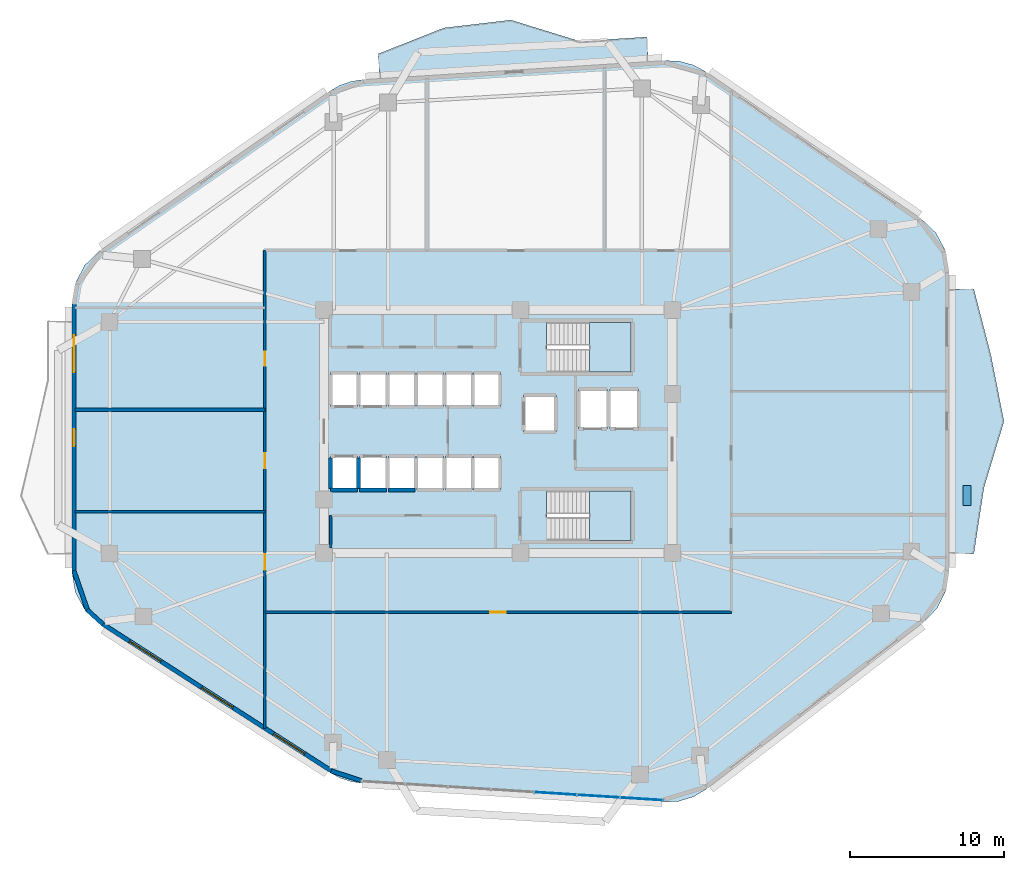
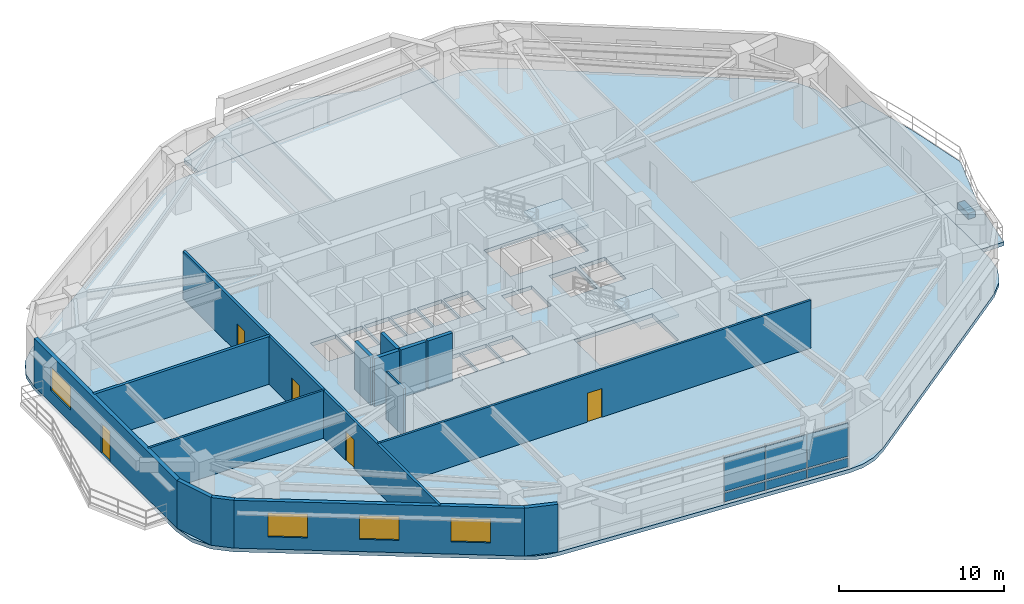
# One storey, part 6 of 12: 15 walls, 7 plates, 5 doors, 5 slabs, 4 windows, 9 openings, 3 elements without a shape of their own.
"""IFC4 building model written with IfcOpenShell, lengths in metres."""

from ifc_helpers import new_model, si_unit, direction, frame, frame_2d, origin, origin_2d, place, context, subcontext, project, spatial, polyline, rectangle, outline, extrude, material, layer, layer_set, type_object, element, fill, aggregate, save


model = new_model("IFC4")

# Units and contexts
model_context = context("Model", 3, precision=1e-05, world=origin(), true_north=direction((0.0, 1.0)))
body_context = subcontext(model_context, "Body", "Model", "MODEL_VIEW")
ifc_project = project(units=[si_unit("LENGTHUNIT", "METRE"), si_unit("AREAUNIT", "SQUARE_METRE"), si_unit("VOLUMEUNIT", "CUBIC_METRE"), si_unit("PLANEANGLEUNIT", "RADIAN"), si_unit("MASSUNIT", "GRAM", prefix="KILO")], contexts=[model_context])

# Site, building, storey
site_placement = place(None, origin())
site = spatial("IfcSite", under=ifc_project, at=site_placement, CompositionType="ELEMENT")
building_placement = place(site_placement, origin())
building = spatial("IfcBuilding", under=site, at=building_placement, Name="Zulverin Broadcast Headquarters", CompositionType="ELEMENT")
storey_placement = place(building_placement, frame((0.0, 0.0, 93.39990234375)))
storey = spatial("IfcBuildingStorey", under=building, at=storey_placement, Name="L23", CompositionType="ELEMENT", Elevation=93.39990234375)

# Curtain wall, plates
ifc_material_1 = material(Name="Low-zone ribbon unitised curtain wall", Category="aluminium")
curtain_wall_type = type_object("IfcCurtainWallType", Name="CW-TWR-LOW", PredefinedType="USERDEFINED", material=ifc_material_1)
curtain_wall_placement = place(storey_placement, origin())
curtain_wall = element("IfcCurtainWall", 1, at=curtain_wall_placement, inside=storey, type_object=curtain_wall_type, Name="L23 Unitised Curtain Wall CW-L23-E1", ObjectType="UNITISED CURTAIN WALL", PredefinedType="USERDEFINED")
ifc_material_2 = material(Name="Low-E double-glazed pale-silver vision glass", Category="glass")
ifc_layer_1 = layer(ifc_material_2, 0.035888671875, Name="Low-E double-glazed pale-silver vision glass", Category="glass")
ifc_layer_set_1 = layer_set([ifc_layer_1], Name="Low-E double-glazed pale-silver vision glass")
plate_type_1 = type_object("IfcPlateType", Name="CW-PNL-GLZ", PredefinedType="CURTAIN_PANEL", material=ifc_layer_set_1)
plate_1_placement = place(storey_placement, frame((40.72021484375, 1.759033203125, 0.9111328125), z_axis=(0.0, 0.0, 1.0), x_axis=(0.998017182581, -0.062942062821, 0.0)))
plate_1 = element("IfcPlate", 2, at=plate_1_placement, type_object=plate_type_1, Name="CW-L23-E1 Vision Panel 04", PredefinedType="CURTAIN_PANEL", context=body_context, shape_type="SweptSolid", body=[
    extrude(rectangle(XDim=2.756591796875, YDim=0.035888671875, at=origin_2d()), origin(), (0.0, 0.0, 1.0), 2.47412109375),
])
plate_2_placement = place(storey_placement, frame((43.511474609375, 1.5830078125, 0.9111328125), z_axis=(0.0, 0.0, 1.0), x_axis=(0.998017182581, -0.062942062821, 0.0)))
plate_2 = element("IfcPlate", 3, at=plate_2_placement, type_object=plate_type_1, Name="CW-L23-E1 Vision Panel 05", PredefinedType="CURTAIN_PANEL", context=body_context, shape_type="SweptSolid", body=[
    extrude(rectangle(XDim=2.756591796875, YDim=0.035888671875, at=origin_2d()), origin(), (0.0, 0.0, 1.0), 2.47412109375),
])
plate_3_placement = place(storey_placement, frame((46.302490234375, 1.406982421875, 0.9111328125), z_axis=(0.0, 0.0, 1.0), x_axis=(0.998017182581, -0.062942062821, 0.0)))
plate_3 = element("IfcPlate", 4, at=plate_3_placement, type_object=plate_type_1, Name="CW-L23-E1 Vision Panel 06", PredefinedType="CURTAIN_PANEL", context=body_context, shape_type="SweptSolid", body=[
    extrude(rectangle(XDim=2.756591796875, YDim=0.035888671875, at=origin_2d()), origin(), (0.0, 0.0, 1.0), 2.47412109375),
])
ifc_material_3 = material(Name="Insulated brushed pale-aluminium spandrel cassette", Category="aluminium")
ifc_layer_2 = layer(ifc_material_3, 0.050048828125, Name="Insulated brushed pale-aluminium spandrel cassette", Category="aluminium")
ifc_layer_set_2 = layer_set([ifc_layer_2], Name="Insulated brushed pale-aluminium spandrel cassette")
plate_type_2 = type_object("IfcPlateType", Name="CW-PNL-SPN", PredefinedType="CURTAIN_PANEL", material=ifc_layer_set_2)
plate_4_placement = place(storey_placement, frame((40.72021484375, 1.759033203125, 0.14013671875), z_axis=(0.0, 0.0, 1.0), x_axis=(0.998017182581, -0.062942062821, 0.0)))
plate_4 = element("IfcPlate", 5, at=plate_4_placement, type_object=plate_type_2, Name="CW-L23-E1 Spandrel Cassette 04", PredefinedType="CURTAIN_PANEL", context=body_context, shape_type="SweptSolid", body=[
    extrude(rectangle(XDim=2.756591796875, YDim=0.050048828125, at=origin_2d()), origin(), (0.0, 0.0, 1.0), 0.64111328125),
])
plate_5_placement = place(storey_placement, frame((43.511474609375, 1.5830078125, 0.14013671875), z_axis=(0.0, 0.0, 1.0), x_axis=(0.998017182581, -0.062942062821, 0.0)))
plate_5 = element("IfcPlate", 6, at=plate_5_placement, type_object=plate_type_2, Name="CW-L23-E1 Spandrel Cassette 05", PredefinedType="CURTAIN_PANEL", context=body_context, shape_type="SweptSolid", body=[
    extrude(rectangle(XDim=2.756591796875, YDim=0.050048828125, at=origin_2d()), origin(), (0.0, 0.0, 1.0), 0.64111328125),
])
plate_6_placement = place(storey_placement, frame((46.302490234375, 1.406982421875, 0.14013671875), z_axis=(0.0, 0.0, 1.0), x_axis=(0.998017182581, -0.062942062821, 0.0)))
plate_6 = element("IfcPlate", 7, at=plate_6_placement, type_object=plate_type_2, Name="CW-L23-E1 Spandrel Cassette 06", PredefinedType="CURTAIN_PANEL", context=body_context, shape_type="SweptSolid", body=[
    extrude(rectangle(XDim=2.756591796875, YDim=0.050048828125, at=origin_2d()), origin(), (0.0, 0.0, 1.0), 0.64111328125),
])
aggregate(curtain_wall, [plate_4, plate_1, plate_5, plate_2, plate_6, plate_3])

# Plate
ifc_material_4 = material(Name="Precast concrete C45/55", Category="concrete")
ifc_layer_3 = layer(ifc_material_4, 0.449951171875, Name="Precast concrete C45/55", Category="concrete")
ifc_layer_set_3 = layer_set([ifc_layer_3], Name="Precast concrete C45/55")
plate_type_3 = type_object("IfcPlateType", Name="PT-01_PRECAST_GFRC_TREE_PLANTER", PredefinedType="USERDEFINED", material=ifc_layer_set_3)
plate_7_placement = place(storey_placement, frame((67.35009765625, 21.05224609375, -0.0048828125), z_axis=(0.0, 0.0, 1.0), x_axis=(0.0, 1.0, 0.0)))
element("IfcPlate", 8, at=plate_7_placement, inside=storey, type_object=plate_type_3, Name="L23 Precast GFRC Tree Planter BAL_E", ObjectType="PLANTER", PredefinedType="USERDEFINED", context=body_context, shape_type="SweptSolid", body=[
    extrude(rectangle(XDim=1.300048828125, YDim=0.5, at=origin_2d()), origin(), (0.0, 0.0, 1.0), 0.449951171875),
])

# Slabs
ifc_material_5 = material(Name="Concrete C40/50", Category="concrete")
ifc_layer_4 = layer(ifc_material_5, 0.27490234375, Name="Concrete C40/50", Category="concrete")
ifc_layer_set_4 = layer_set([ifc_layer_4], Name="Concrete C40/50")
slab_type_1 = type_object("IfcSlabType", Name="SLB-BAL-275", PredefinedType="FLOOR", material=ifc_layer_set_4)
slab_1_placement = place(storey_placement, frame((0.0, 0.0, -0.27490234375)))
element("IfcSlab", 9, at=slab_1_placement, inside=storey, type_object=slab_type_1, Name="L23 Cantilevered Planted Balcony Slab BAL_E", PredefinedType="FLOOR", context=body_context, shape_type="SweptSolid", body=[
    extrude(outline(polyline([(66.199951171875, 34.41455078125), (66.199951171875, 17.283447265625), (67.800048828125, 17.283447265625), (68.456298828125, 21.566162109375), (69.75, 25.848876953125), (68.90576171875, 30.131591796875), (67.800048828125, 34.41455078125), (66.199951171875, 34.41455078125)])), origin(), (0.0, 0.0, 1.0), 0.27490234375),
])
slab_2_placement = place(storey_placement, frame((0.0, 0.0, -0.27490234375)))
element("IfcSlab", 10, at=slab_2_placement, inside=storey, type_object=slab_type_1, Name="L23 Cantilevered Planted Balcony Slab BAL_N", PredefinedType="FLOOR", context=body_context, shape_type="SweptSolid", body=[
    extrude(outline(polyline([(29.330078125, 48.04296875), (46.72509765625, 49.139892578125), (46.62451171875, 50.73681640625), (42.275634765625, 50.46240234375), (37.8232421875, 51.8349609375), (33.489501953125, 51.322998046875), (29.2294921875, 49.639892578125), (29.330078125, 48.04296875)])), origin(), (0.0, 0.0, 1.0), 0.27490234375),
])

# Stair, slab
stair_type = type_object("IfcStairType", Name="ST-CORE-1500", PredefinedType="HALF_TURN_STAIR", material=ifc_material_5)
stair_1_placement = place(storey_placement, origin())
stair_1 = element("IfcStair", 11, at=stair_1_placement, inside=storey, type_object=stair_type, Name="L23 Core Exit Stair ST-1", PredefinedType="HALF_TURN_STAIR")
ifc_layer_5 = layer(ifc_material_5, 0.199951171875, Name="Concrete C40/50", Category="concrete")
ifc_layer_set_5 = layer_set([ifc_layer_5], Name="Concrete C40/50")
slab_type_2 = type_object("IfcSlabType", Name="SLB-ST-LND200", PredefinedType="LANDING", material=ifc_layer_set_5)
slab_3_placement = place(storey_placement, frame((0.0, 0.0, 1.7001953125)))
slab_3 = element("IfcSlab", 12, at=slab_3_placement, type_object=slab_type_2, Name="ST-1 landing 1", PredefinedType="LANDING", context=body_context, shape_type="SweptSolid", body=[
    extrude(outline(polyline([(42.929931640625, 29.050048828125), (45.60009765625, 29.050048828125), (45.60009765625, 32.25), (42.929931640625, 32.25), (42.929931640625, 29.050048828125)])), origin(), (0.0, 0.0, 1.0), 0.199951171875),
])
aggregate(stair_1, [slab_3])

stair_2_placement = place(storey_placement, origin())
stair_2 = element("IfcStair", 13, at=stair_2_placement, inside=storey, type_object=stair_type, Name="L23 Core Exit Stair ST-2", PredefinedType="HALF_TURN_STAIR")
slab_4_placement = place(storey_placement, frame((0.0, 0.0, 1.7001953125)))
slab_4 = element("IfcSlab", 14, at=slab_4_placement, type_object=slab_type_2, Name="ST-2 landing 1", PredefinedType="LANDING", context=body_context, shape_type="SweptSolid", body=[
    extrude(outline(polyline([(42.929931640625, 18.14990234375), (45.60009765625, 18.14990234375), (45.60009765625, 21.35009765625), (42.929931640625, 21.35009765625), (42.929931640625, 18.14990234375)])), origin(), (0.0, 0.0, 1.0), 0.199951171875),
])
aggregate(stair_2, [slab_4])

# Slab
ifc_layer_6 = layer(ifc_material_5, 0.27490234375, Name="Concrete C40/50", Category="concrete")
ifc_layer_set_6 = layer_set([ifc_layer_6], Name="Concrete C40/50")
slab_type_3 = type_object("IfcSlabType", Name="SLB-TWR-275", PredefinedType="FLOOR", material=ifc_layer_set_6)
slab_5_placement = place(storey_placement, frame((0.0, 0.0, -0.27490234375)))
element("IfcSlab", 15, at=slab_5_placement, inside=storey, type_object=slab_type_3, Name="L23 Main Structural Floor Slab", PredefinedType="FLOOR", context=body_context, shape_type="SweptSolid", body=[
    extrude(outline(polyline([(26.146484375, 3.089599609375), (26.774658203125, 2.75732421875), (27.44970703125, 2.535888671875), (28.152587890625, 2.431396484375), (47.690673828125, 1.19921875), (48.69189453125, 1.256103515625), (49.6513671875, 1.548828125), (50.51416015625, 2.060546875), (64.55908203125, 12.85302734375), (65.44140625, 13.77587890625), (66.005859375, 14.92138671875), (66.199951171875, 16.183349609375), (66.199951171875, 35.514404296875), (65.981689453125, 36.85107421875), (65.349365234375, 38.048583984375), (64.368896484375, 38.982666015625), (50.456298828125, 48.485595703125), (49.639404296875, 48.920166015625), (48.747314453125, 49.165283203125), (47.822998046875, 49.208984375), (28.232421875, 47.9736328125), (27.481201171875, 47.857421875), (26.76318359375, 47.607666015625), (26.102294921875, 47.232666015625), (11.20556640625, 36.89501953125), (10.238037109375, 35.9619140625), (9.614990234375, 34.77099609375), (9.39990234375, 33.4443359375), (9.39990234375, 16.1435546875), (9.631103515625, 14.769775390625), (10.298583984375, 13.547119140625), (11.32958984375, 12.610107421875), (26.146484375, 3.089599609375)]), holes=[polyline([(40.155029296875, 30.75), (40.130126953125, 30.75), (40.130126953125, 32.25), (45.60009765625, 32.25), (45.60009765625, 29.050048828125), (40.155029296875, 29.050048828125), (40.155029296875, 30.75)]), polyline([(40.155029296875, 19.85009765625), (40.130126953125, 19.85009765625), (40.130126953125, 21.35009765625), (45.60009765625, 21.35009765625), (45.60009765625, 18.14990234375), (40.155029296875, 18.14990234375), (40.155029296875, 19.85009765625)]), polyline([(26.14990234375, 26.800048828125), (27.89990234375, 26.800048828125), (27.89990234375, 29.0), (26.14990234375, 29.0), (26.14990234375, 26.800048828125)]), polyline([(28.02001953125, 26.800048828125), (29.77001953125, 26.800048828125), (29.77001953125, 29.0), (28.02001953125, 29.0), (28.02001953125, 26.800048828125)]), polyline([(26.14990234375, 21.39990234375), (27.89990234375, 21.39990234375), (27.89990234375, 23.60009765625), (26.14990234375, 23.60009765625), (26.14990234375, 21.39990234375)]), polyline([(28.02001953125, 21.39990234375), (29.77001953125, 21.39990234375), (29.77001953125, 23.60009765625), (28.02001953125, 23.60009765625), (28.02001953125, 21.39990234375)]), polyline([(29.89990234375, 21.39990234375), (31.6201171875, 21.39990234375), (31.6201171875, 23.60009765625), (29.89990234375, 23.60009765625), (29.89990234375, 21.39990234375)]), polyline([(31.739990234375, 21.39990234375), (33.4599609375, 21.39990234375), (33.4599609375, 23.60009765625), (31.739990234375, 23.60009765625), (31.739990234375, 21.39990234375)]), polyline([(33.580078125, 21.39990234375), (35.300048828125, 21.39990234375), (35.300048828125, 23.60009765625), (33.580078125, 23.60009765625), (33.580078125, 21.39990234375)]), polyline([(35.419921875, 21.39990234375), (37.139892578125, 21.39990234375), (37.139892578125, 23.60009765625), (35.419921875, 23.60009765625), (35.419921875, 21.39990234375)]), polyline([(29.89990234375, 26.800048828125), (31.6201171875, 26.800048828125), (31.6201171875, 29.0), (29.89990234375, 29.0), (29.89990234375, 26.800048828125)]), polyline([(31.739990234375, 26.800048828125), (33.4599609375, 26.800048828125), (33.4599609375, 29.0), (31.739990234375, 29.0), (31.739990234375, 26.800048828125)]), polyline([(33.580078125, 26.800048828125), (35.300048828125, 26.800048828125), (35.300048828125, 29.0), (33.580078125, 29.0), (33.580078125, 26.800048828125)]), polyline([(35.419921875, 26.800048828125), (37.139892578125, 26.800048828125), (37.139892578125, 29.0), (35.419921875, 29.0), (35.419921875, 26.800048828125)]), polyline([(42.199951171875, 25.35009765625), (44.050048828125, 25.35009765625), (44.050048828125, 27.949951171875), (42.199951171875, 27.949951171875), (42.199951171875, 25.35009765625)]), polyline([(44.25, 25.35009765625), (46.10009765625, 25.35009765625), (46.10009765625, 27.949951171875), (44.25, 27.949951171875), (44.25, 25.35009765625)]), polyline([(38.64990234375, 25.14990234375), (40.75, 25.14990234375), (40.75, 27.550048828125), (38.64990234375, 27.550048828125), (38.64990234375, 25.14990234375)])]), origin(), (0.0, 0.0, 1.0), 0.27490234375),
])

# Wall
ifc_material_6 = material(Name="Acoustic drywall steel stud", Category="steel")
ifc_layer_7 = layer(ifc_material_6, 0.199951171875, Name="Acoustic drywall steel stud", Category="steel")
ifc_layer_set_7 = layer_set([ifc_layer_7], Name="Acoustic drywall steel stud")
wall_type_1 = type_object("IfcWallType", Name="WL-ACOU-200", PredefinedType="PARTITIONING", material=ifc_layer_set_7)
wall_1_placement = place(storey_placement, frame((9.60498046875, 26.60009765625, 0.0), z_axis=(0.0, 0.0, 1.0), x_axis=(1.0, 0.0, 0.0)))
element("IfcWall", 16, at=wall_1_placement, inside=storey, type_object=wall_type_1, Name="L23 Room Partition Wall RP-09", PredefinedType="PARTITIONING", context=body_context, shape_type="SweptSolid", body=[
    extrude(rectangle(XDim=12.294921875, YDim=0.199951171875, at=frame_2d((6.1474609375, 0.0))), origin(), (0.0, 0.0, 1.0), 3.525146484375),
])

# Wall, openings, door, window
ifc_material_7 = material(Name="Insulated pale-metal clad concrete spandrel C40/50", Category="concrete")
ifc_layer_8 = layer(ifc_material_7, 0.280029296875, Name="Insulated pale-metal clad concrete spandrel C40/50", Category="concrete")
ifc_layer_set_8 = layer_set([ifc_layer_8], Name="Insulated pale-metal clad concrete spandrel C40/50")
wall_type_2 = type_object("IfcWallType", Name="WL-EXT-280", PredefinedType="STANDARD", material=ifc_layer_set_8)
wall_2_placement = place(storey_placement, frame((9.5400390625, 33.4443359375, 0.0), z_axis=(0.0, 0.0, 1.0), x_axis=(0.0, -1.0, 0.0)))
wall_2 = element("IfcWall", 17, at=wall_2_placement, inside=storey, type_object=wall_type_2, Name="L23 Pale-Metal Clad Spandrel Wall 7", PredefinedType="STANDARD", context=body_context, shape_type="SweptSolid", body=[
    extrude(rectangle(XDim=17.30078125, YDim=0.280029296875, at=frame_2d((8.650390625, 0.0))), origin(), (0.0, 0.0, 1.0), 3.525146484375),
])
opening_1_placement = place(wall_2_placement, frame((8.100341796875, 0.0, 0.0)))
opening_1 = element("IfcOpeningElement", 18, at=opening_1_placement, cuts=wall_2, Name="Opening D-L23-TR7", PredefinedType="OPENING", context=body_context, shape_type="SweptSolid", body=[
    extrude(rectangle(XDim=1.10009765625, YDim=2.199951171875, at=frame_2d((0.550048828125, 1.10009765625))), frame((0.0, 0.14990234375, 0.0), z_axis=(0.0, -1.0, 0.0), x_axis=(1.0, 0.0, 0.0)), (0.0, 0.0, 1.0), 0.300048828125),
])
opening_2_placement = place(wall_2_placement, frame((2.016845703125, 0.0, 0.89990234375)))
opening_2 = element("IfcOpeningElement", 19, at=opening_2_placement, cuts=wall_2, Name="Opening W-L23-E71", PredefinedType="OPENING", context=body_context, shape_type="SweptSolid", body=[
    extrude(rectangle(XDim=2.39990234375, YDim=1.75, at=frame_2d((1.199951171875, 0.875))), frame((0.0, 0.14990234375, 0.0), z_axis=(0.0, -1.0, 0.0), x_axis=(1.0, 0.0, 0.0)), (0.0, 0.0, 1.0), 0.300048828125),
])
ifc_material_8 = material(Name="Thermally broken aluminium glazed", Category="aluminium")
door_type_1 = type_object("IfcDoorType", Name="DR-TERR-1100", OperationType="SINGLE_SWING_RIGHT", PredefinedType="DOOR", material=ifc_material_8)
door_1_placement = place(opening_1_placement, origin())
door_1 = element("IfcDoor", 20, at=door_1_placement, inside=storey, type_object=door_type_1, Name="L23 Planted Terrace Glazed Access Door 7", OperationType="SINGLE_SWING_RIGHT", OverallHeight=2.199951171875, OverallWidth=1.10009765625, PredefinedType="DOOR", context=body_context, shape_type="SweptSolid", body=[
    extrude(rectangle(XDim=1.10009765625, YDim=2.199951171875, at=frame_2d((0.550048828125, 1.10009765625))), frame((0.0, 0.02490234375, 0.0), z_axis=(0.0, -1.0, 0.0), x_axis=(1.0, 0.0, 0.0)), (0.0, 0.0, 1.0), 0.050048828125),
])
fill(opening_1, door_1)
ifc_material_9 = material(Name="Pale anodized aluminium frame with solar-control low-E double glazing", Category="aluminium")
window_type = type_object("IfcWindowType", Name="WIN-RIB-2400", PartitioningType="SINGLE_PANEL", PredefinedType="WINDOW", material=ifc_material_9)
window_1_placement = place(opening_2_placement, origin())
window_1 = element("IfcWindow", 21, at=window_1_placement, inside=storey, type_object=window_type, Name="L23 Ribbon Glazing Window 7 1", OverallHeight=1.75, OverallWidth=2.39990234375, PartitioningType="SINGLE_PANEL", PredefinedType="WINDOW", context=body_context, shape_type="SweptSolid", body=[
    extrude(rectangle(XDim=2.39990234375, YDim=1.75, at=frame_2d((1.199951171875, 0.875))), frame((0.0, 0.030029296875, 0.0), z_axis=(0.0, -1.0, 0.0), x_axis=(1.0, 0.0, 0.0)), (0.0, 0.0, 1.0), 0.06005859375),
])
fill(opening_2, window_1)

# Wall, openings, windows
wall_3_placement = place(storey_placement, frame((11.4052734375, 12.727783203125, 0.0), z_axis=(0.0, 0.0, 1.0), x_axis=(0.841304564637, -0.540561402175, 0.0)))
wall_3 = element("IfcWall", 22, at=wall_3_placement, inside=storey, type_object=wall_type_2, Name="L23 Pale-Metal Clad Spandrel Wall 8", PredefinedType="STANDARD", context=body_context, shape_type="SweptSolid", body=[
    extrude(rectangle(XDim=17.61181640625, YDim=0.280029296875, at=frame_2d((8.805908203125, 0.0))), origin(), (0.0, 0.0, 1.0), 3.525146484375),
])
opening_3_placement = place(wall_3_placement, frame((2.068603515625, 0.0, 0.89990234375)))
opening_3 = element("IfcOpeningElement", 23, at=opening_3_placement, cuts=wall_3, Name="Opening W-L23-E81", PredefinedType="OPENING", context=body_context, shape_type="SweptSolid", body=[
    extrude(rectangle(XDim=2.39990234375, YDim=1.75, at=frame_2d((1.199951171875, 0.875))), frame((0.0, 0.14990234375, 0.0), z_axis=(0.0, -1.0, 0.0), x_axis=(1.0, 0.0, 0.0)), (0.0, 0.0, 1.0), 0.300048828125),
])
opening_4_placement = place(wall_3_placement, frame((7.60595703125, 0.0, 0.89990234375)))
opening_4 = element("IfcOpeningElement", 24, at=opening_4_placement, cuts=wall_3, Name="Opening W-L23-E82", PredefinedType="OPENING", context=body_context, shape_type="SweptSolid", body=[
    extrude(rectangle(XDim=2.39990234375, YDim=1.75, at=frame_2d((1.199951171875, 0.875))), frame((0.0, 0.14990234375, 0.0), z_axis=(0.0, -1.0, 0.0), x_axis=(1.0, 0.0, 0.0)), (0.0, 0.0, 1.0), 0.300048828125),
])
opening_5_placement = place(wall_3_placement, frame((13.143310546875, 0.0, 0.89990234375)))
opening_5 = element("IfcOpeningElement", 25, at=opening_5_placement, cuts=wall_3, Name="Opening W-L23-E83", PredefinedType="OPENING", context=body_context, shape_type="SweptSolid", body=[
    extrude(rectangle(XDim=2.39990234375, YDim=1.75, at=frame_2d((1.199951171875, 0.875))), frame((0.0, 0.14990234375, 0.0), z_axis=(0.0, -1.0, 0.0), x_axis=(1.0, 0.0, 0.0)), (0.0, 0.0, 1.0), 0.300048828125),
])
window_2_placement = place(opening_3_placement, origin())
window_2 = element("IfcWindow", 26, at=window_2_placement, inside=storey, type_object=window_type, Name="L23 Ribbon Glazing Window 8 1", OverallHeight=1.75, OverallWidth=2.39990234375, PartitioningType="SINGLE_PANEL", PredefinedType="WINDOW", context=body_context, shape_type="SweptSolid", body=[
    extrude(rectangle(XDim=2.39990234375, YDim=1.75, at=frame_2d((1.199951171875, 0.875))), frame((0.0, 0.030029296875, 0.0), z_axis=(0.0, -1.0, 0.0), x_axis=(1.0, 0.0, 0.0)), (0.0, 0.0, 1.0), 0.06005859375),
])
fill(opening_3, window_2)
window_3_placement = place(opening_4_placement, origin())
window_3 = element("IfcWindow", 27, at=window_3_placement, inside=storey, type_object=window_type, Name="L23 Ribbon Glazing Window 8 2", OverallHeight=1.75, OverallWidth=2.39990234375, PartitioningType="SINGLE_PANEL", PredefinedType="WINDOW", context=body_context, shape_type="SweptSolid", body=[
    extrude(rectangle(XDim=2.39990234375, YDim=1.75, at=frame_2d((1.199951171875, 0.875))), frame((0.0, 0.030029296875, 0.0), z_axis=(0.0, -1.0, 0.0), x_axis=(1.0, 0.0, 0.0)), (0.0, 0.0, 1.0), 0.06005859375),
])
fill(opening_4, window_3)
window_4_placement = place(opening_5_placement, origin())
window_4 = element("IfcWindow", 28, at=window_4_placement, inside=storey, type_object=window_type, Name="L23 Ribbon Glazing Window 8 3", OverallHeight=1.75, OverallWidth=2.39990234375, PartitioningType="SINGLE_PANEL", PredefinedType="WINDOW", context=body_context, shape_type="SweptSolid", body=[
    extrude(rectangle(XDim=2.39990234375, YDim=1.75, at=frame_2d((1.199951171875, 0.875))), frame((0.0, 0.030029296875, 0.0), z_axis=(0.0, -1.0, 0.0), x_axis=(1.0, 0.0, 0.0)), (0.0, 0.0, 1.0), 0.06005859375),
])
fill(opening_5, window_4)

# Walls
wall_4_placement = place(storey_placement, frame((9.5322265625, 16.189453125, 0.0), z_axis=(0.0, 0.0, 1.0), x_axis=(0.32708309668, -0.944995580871, 0.0)))
element("IfcWall", 29, at=wall_4_placement, inside=storey, type_object=wall_type_2, Name="L23 Wind-Shaped Corner Spandrel Wall 7-1", PredefinedType="STANDARD", context=body_context, shape_type="SweptSolid", body=[
    extrude(rectangle(XDim=2.74755859375, YDim=0.280029296875, at=frame_2d((1.373779296875, 0.0))), origin(), (0.0, 0.0, 1.0), 3.525146484375),
])
wall_5_placement = place(storey_placement, frame((10.392822265625, 13.650634765625, 0.0), z_axis=(0.0, 0.0, 1.0), x_axis=(0.74003521851, -0.672568119498, 0.0)))
element("IfcWall", 30, at=wall_5_placement, inside=storey, type_object=wall_type_2, Name="L23 Wind-Shaped Corner Spandrel Wall 7-2", PredefinedType="STANDARD", context=body_context, shape_type="SweptSolid", body=[
    extrude(rectangle(XDim=1.39306640625, YDim=0.280029296875, at=frame_2d((0.696533203125, 0.0))), origin(), (0.0, 0.0, 1.0), 3.525146484375),
])
wall_6_placement = place(storey_placement, frame((26.18994140625, 3.22265625, 0.0), z_axis=(0.0, 0.0, 1.0), x_axis=(0.950175683881, -0.311714885371, 0.0)))
element("IfcWall", 31, at=wall_6_placement, inside=storey, type_object=wall_type_2, Name="L23 Wind-Shaped Corner Spandrel Wall 8-1", PredefinedType="STANDARD", context=body_context, shape_type="SweptSolid", body=[
    extrude(rectangle(XDim=2.046630859375, YDim=0.280029296875, at=frame_2d((1.0234375, 0.0))), origin(), (0.0, 0.0, 1.0), 3.525146484375),
])
ifc_material_10 = material(Name="Fire-rated gypsum stud partition", Category="gypsum")
ifc_layer_9 = layer(ifc_material_10, 0.14990234375, Name="Fire-rated gypsum stud partition", Category="gypsum")
ifc_layer_set_9 = layer_set([ifc_layer_9], Name="Fire-rated gypsum stud partition")
wall_type_3 = type_object("IfcWallType", Name="WL-PART-150", PredefinedType="PARTITIONING", material=ifc_layer_set_9)
wall_7_placement = place(storey_placement, frame((26.169921875, 17.64990234375, 0.0), z_axis=(0.0, 0.0, 1.0), x_axis=(0.0, 1.0, 0.0)))
element("IfcWall", 32, at=wall_7_placement, inside=storey, type_object=wall_type_3, Name="L23 Core Female WC & Facilities Room West Wall", PredefinedType="PARTITIONING", context=body_context, shape_type="SweptSolid", body=[
    extrude(rectangle(XDim=2.10009765625, YDim=0.14990234375, at=frame_2d((1.050048828125, 0.0))), origin(), (0.0, 0.0, 1.0), 3.525146484375),
])

# Wall, opening, door
wall_8_placement = place(storey_placement, frame((21.89990234375, 13.5, 0.0), z_axis=(0.0, 0.0, 1.0), x_axis=(1.0, 0.0, 0.0)))
wall_8 = element("IfcWall", 33, at=wall_8_placement, inside=storey, type_object=wall_type_3, Name="L23 Gallery Partition Wall CG-05", PredefinedType="PARTITIONING", context=body_context, shape_type="SweptSolid", body=[
    extrude(rectangle(XDim=30.2001953125, YDim=0.14990234375, at=frame_2d((15.10009765625, 0.0))), origin(), (0.0, 0.0, 1.0), 3.525146484375),
])
opening_6_placement = place(wall_8_placement, frame((14.60009765625, 0.0, 0.0)))
opening_6 = element("IfcOpeningElement", 34, at=opening_6_placement, cuts=wall_8, Name="Opening D-L23-04", PredefinedType="OPENING", context=body_context, shape_type="SweptSolid", body=[
    extrude(rectangle(XDim=1.0, YDim=2.1201171875, at=frame_2d((0.5, 1.06005859375))), frame((0.0, 0.0849609375, 0.0), z_axis=(0.0, -1.0, 0.0), x_axis=(1.0, 0.0, 0.0)), (0.0, 0.0, 1.0), 0.169921875),
])
ifc_material_11 = material(Name="Hardwood veneer acoustic leaf", Category="wood")
door_type_2 = type_object("IfcDoorType", Name="DR-OFF-1000", OperationType="SINGLE_SWING_LEFT", PredefinedType="DOOR", material=ifc_material_11)
door_2_placement = place(opening_6_placement, origin())
door_2 = element("IfcDoor", 35, at=door_2_placement, inside=storey, type_object=door_type_2, Name="L23 Editing Office Door", OperationType="SINGLE_SWING_LEFT", OverallHeight=2.1201171875, OverallWidth=1.0, PredefinedType="DOOR", context=body_context, shape_type="SweptSolid", body=[
    extrude(rectangle(XDim=1.0, YDim=2.1201171875, at=frame_2d((0.5, 1.06005859375))), frame((0.0, 0.02490234375, 0.0), z_axis=(0.0, -1.0, 0.0), x_axis=(1.0, 0.0, 0.0)), (0.0, 0.0, 1.0), 0.050048828125),
])
fill(opening_6, door_2)

# Wall
wall_9_placement = place(storey_placement, frame((9.60498046875, 20.0, 0.0), z_axis=(0.0, 0.0, 1.0), x_axis=(1.0, 0.0, 0.0)))
element("IfcWall", 36, at=wall_9_placement, inside=storey, type_object=wall_type_3, Name="L23 Room Partition Wall RP-08", PredefinedType="PARTITIONING", context=body_context, shape_type="SweptSolid", body=[
    extrude(rectangle(XDim=12.294921875, YDim=0.14990234375, at=frame_2d((6.1474609375, 0.0))), origin(), (0.0, 0.0, 1.0), 3.525146484375),
])

# Wall, openings, doors
ifc_material_12 = material(Name="Fire-rated acoustic stud wall", Category="gypsum")
ifc_layer_10 = layer(ifc_material_12, 0.175048828125, Name="Fire-rated acoustic stud wall", Category="gypsum")
ifc_layer_set_10 = layer_set([ifc_layer_10], Name="Fire-rated acoustic stud wall")
wall_type_4 = type_object("IfcWallType", Name="WL-PART-175", PredefinedType="PARTITIONING", material=ifc_layer_set_10)
wall_10_placement = place(storey_placement, frame((21.89990234375, 5.9580078125, 0.0), z_axis=(0.0, 0.0, 1.0), x_axis=(0.0, 1.0, 0.0)))
wall_10 = element("IfcWall", 37, at=wall_10_placement, inside=storey, type_object=wall_type_4, Name="L23 Gallery Partition Wall CG-04", PredefinedType="PARTITIONING", context=body_context, shape_type="SweptSolid", body=[
    extrude(rectangle(XDim=30.94189453125, YDim=0.175048828125, at=frame_2d((15.470947265625, 0.0))), origin(), (0.0, 0.0, 1.0), 3.525146484375),
])
opening_7_placement = place(wall_10_placement, frame((10.2919921875, 0.0, 0.0)))
opening_7 = element("IfcOpeningElement", 38, at=opening_7_placement, cuts=wall_10, Name="Opening D-L23-05", PredefinedType="OPENING", context=body_context, shape_type="SweptSolid", body=[
    extrude(rectangle(XDim=1.0, YDim=2.1201171875, at=frame_2d((0.5, 1.06005859375))), frame((0.0, 0.097412109375, 0.0), z_axis=(0.0, -1.0, 0.0), x_axis=(1.0, 0.0, 0.0)), (0.0, 0.0, 1.0), 0.195068359375),
])
opening_8_placement = place(wall_10_placement, frame((16.841796875, 0.0, 0.0)))
opening_8 = element("IfcOpeningElement", 39, at=opening_8_placement, cuts=wall_10, Name="Opening D-L23-06", PredefinedType="OPENING", context=body_context, shape_type="SweptSolid", body=[
    extrude(rectangle(XDim=1.0, YDim=2.1201171875, at=frame_2d((0.5, 1.06005859375))), frame((0.0, 0.097412109375, 0.0), z_axis=(0.0, -1.0, 0.0), x_axis=(1.0, 0.0, 0.0)), (0.0, 0.0, 1.0), 0.195068359375),
])
opening_9_placement = place(wall_10_placement, frame((23.491943359375, 0.0, 0.0)))
opening_9 = element("IfcOpeningElement", 40, at=opening_9_placement, cuts=wall_10, Name="Opening D-L23-07", PredefinedType="OPENING", context=body_context, shape_type="SweptSolid", body=[
    extrude(rectangle(XDim=0.89990234375, YDim=2.10009765625, at=frame_2d((0.449951171875, 1.050048828125))), frame((0.0, 0.097412109375, 0.0), z_axis=(0.0, -1.0, 0.0), x_axis=(1.0, 0.0, 0.0)), (0.0, 0.0, 1.0), 0.195068359375),
])
door_3_placement = place(opening_7_placement, origin())
door_3 = element("IfcDoor", 41, at=door_3_placement, inside=storey, type_object=door_type_2, Name="L23 Graphics Office Door", OperationType="SINGLE_SWING_RIGHT", OverallHeight=2.1201171875, OverallWidth=1.0, PredefinedType="DOOR", context=body_context, shape_type="SweptSolid", body=[
    extrude(rectangle(XDim=1.0, YDim=2.1201171875, at=frame_2d((0.5, 1.06005859375))), frame((0.0, 0.02490234375, 0.0), z_axis=(0.0, -1.0, 0.0), x_axis=(1.0, 0.0, 0.0)), (0.0, 0.0, 1.0), 0.050048828125),
])
fill(opening_7, door_3)
door_4_placement = place(opening_8_placement, origin())
door_4 = element("IfcDoor", 42, at=door_4_placement, inside=storey, type_object=door_type_2, Name="L23 Open Office Door", OperationType="SINGLE_SWING_LEFT", OverallHeight=2.1201171875, OverallWidth=1.0, PredefinedType="DOOR", context=body_context, shape_type="SweptSolid", body=[
    extrude(rectangle(XDim=1.0, YDim=2.1201171875, at=frame_2d((0.5, 1.06005859375))), frame((0.0, 0.02490234375, 0.0), z_axis=(0.0, -1.0, 0.0), x_axis=(1.0, 0.0, 0.0)), (0.0, 0.0, 1.0), 0.050048828125),
])
fill(opening_8, door_4)
ifc_material_13 = material(Name="Fire-rated hardwood veneer timber leaf", Category="wood")
door_type_3 = type_object("IfcDoorType", Name="DR-ROOM-900", OperationType="SINGLE_SWING_RIGHT", PredefinedType="DOOR", material=ifc_material_13)
door_5_placement = place(opening_9_placement, origin())
door_5 = element("IfcDoor", 43, at=door_5_placement, inside=storey, type_object=door_type_3, Name="L23 Huddle Room Door", OperationType="SINGLE_SWING_RIGHT", OverallHeight=2.10009765625, OverallWidth=0.89990234375, PredefinedType="DOOR", context=body_context, shape_type="SweptSolid", body=[
    extrude(rectangle(XDim=0.89990234375, YDim=2.10009765625, at=frame_2d((0.449951171875, 1.050048828125))), frame((0.0, 0.02490234375, 0.0), z_axis=(0.0, -1.0, 0.0), x_axis=(1.0, 0.0, 0.0)), (0.0, 0.0, 1.0), 0.050048828125),
])
fill(opening_9, door_5)

# Walls
ifc_material_14 = material(Name="Concrete C50/60", Category="concrete")
ifc_layer_11 = layer(ifc_material_14, 0.25, Name="Concrete C50/60", Category="concrete")
ifc_layer_set_11 = layer_set([ifc_layer_11], Name="Concrete C50/60")
wall_type_5 = type_object("IfcWallType", Name="WL-SHAFT-250", PredefinedType="SHEAR", material=ifc_layer_set_11)
wall_11_placement = place(storey_placement, frame((26.14990234375, 21.39990234375, 0.0), z_axis=(0.0, 0.0, 1.0), x_axis=(1.0, 0.0, 0.0)))
element("IfcWall", 44, at=wall_11_placement, inside=storey, type_object=wall_type_5, Name="L23 Lift PL-L3 Shaft Wall S", PredefinedType="SHEAR", context=body_context, shape_type="SweptSolid", body=[
    extrude(rectangle(XDim=1.75, YDim=0.25, at=frame_2d((0.875, 0.0))), origin(), (0.0, 0.0, 1.0), 3.525146484375),
])
for number, where, z_axis, x_axis, name in (
    (45, (26.14990234375, 21.52001953125, 0.0), (0.0, 0.0, 1.0), (0.0, 1.0, 0.0), "L23 Lift PL-L3 Shaft Wall W"),
    (46, (27.9599609375, 21.52001953125, 0.0), (0.0, 0.0, 1.0), (0.0, 1.0, 0.0), "L23 Lift PL-L3 Shaft Wall E"),
):
    element("IfcWall", number, at=place(storey_placement, frame(where, z_axis=z_axis, x_axis=x_axis)), inside=storey, type_object=wall_type_5, Name=name, PredefinedType="SHEAR", context=body_context, shape_type="SweptSolid", body=[
        extrude(rectangle(XDim=1.9599609375, YDim=0.25, at=frame_2d((0.97998046875, 0.0))), origin(), (0.0, 0.0, 1.0), 3.525146484375),
    ])
wall_12_placement = place(storey_placement, frame((28.02001953125, 21.39990234375, 0.0), z_axis=(0.0, 0.0, 1.0), x_axis=(1.0, 0.0, 0.0)))
element("IfcWall", 47, at=wall_12_placement, inside=storey, type_object=wall_type_5, Name="L23 Lift PL-L4 Shaft Wall S", PredefinedType="SHEAR", context=body_context, shape_type="SweptSolid", body=[
    extrude(rectangle(XDim=1.75, YDim=0.25, at=frame_2d((0.875, 0.0))), origin(), (0.0, 0.0, 1.0), 3.525146484375),
])
wall_13_placement = place(storey_placement, frame((29.89990234375, 21.39990234375, 0.0), z_axis=(0.0, 0.0, 1.0), x_axis=(1.0, 0.0, 0.0)))
element("IfcWall", 48, at=wall_13_placement, inside=storey, type_object=wall_type_5, Name="L23 Lift PL-M1 Shaft Wall S", PredefinedType="SHEAR", context=body_context, shape_type="SweptSolid", body=[
    extrude(rectangle(XDim=1.72021484375, YDim=0.25, at=frame_2d((0.860107421875, 0.0))), origin(), (0.0, 0.0, 1.0), 3.525146484375),
])

save(model, "model.ifc")
